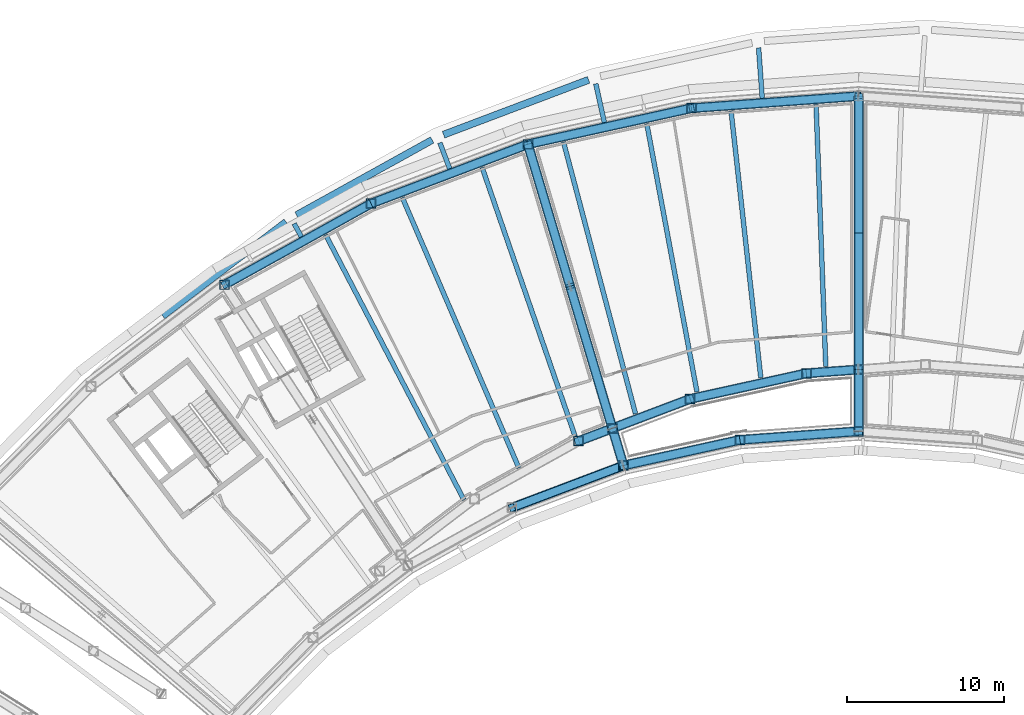
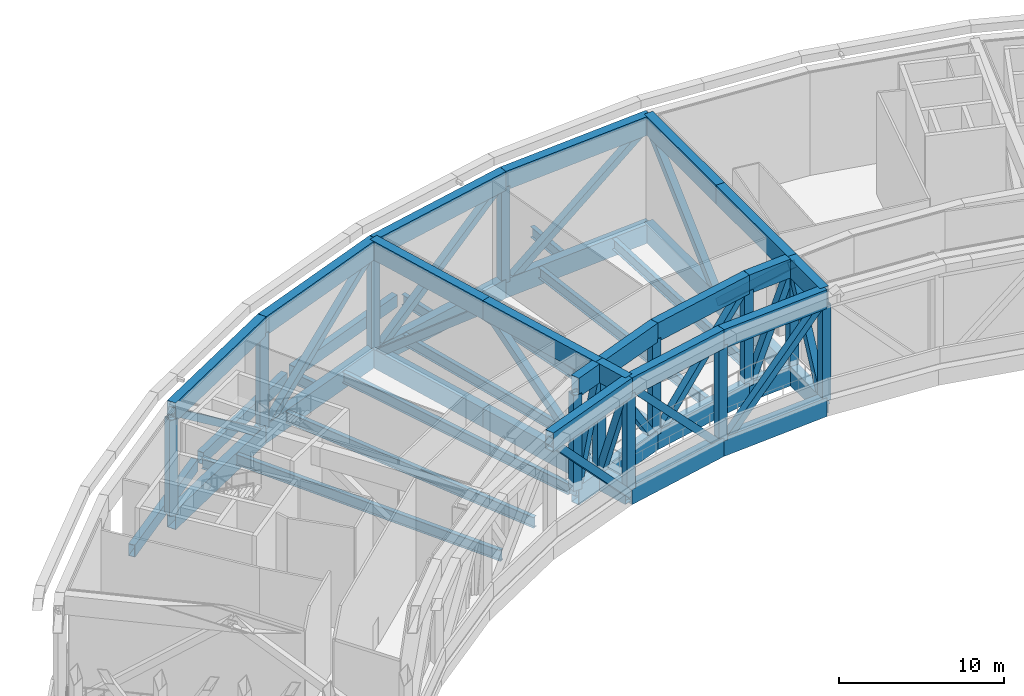
# One storey, part 2 of 24: 47 beams, 29 members.
"""IFC4 building model written with IfcOpenShell, lengths in metres."""

from ifc_helpers import new_model, si_unit, direction, frame, origin, origin_2d, place, context, subcontext, project, spatial, hollow_rectangle, i_section, extrude, material, material_profile, profile_set, type_object, element, save


model = new_model("IFC4")

# Units and contexts
model_context = context("Model", 3, precision=1e-05, world=origin(), true_north=direction((0.0, 1.0)))
body_context = subcontext(model_context, "Body", "Model", "MODEL_VIEW")
ifc_project = project(units=[si_unit("LENGTHUNIT", "METRE"), si_unit("AREAUNIT", "SQUARE_METRE"), si_unit("VOLUMEUNIT", "CUBIC_METRE"), si_unit("PLANEANGLEUNIT", "RADIAN"), si_unit("MASSUNIT", "GRAM", prefix="KILO")], contexts=[model_context])

# Site, building, storey
site_placement = place(None, origin())
site = spatial("IfcSite", under=ifc_project, at=site_placement, CompositionType="ELEMENT")
building_placement = place(site_placement, origin())
building = spatial("IfcBuilding", under=site, at=building_placement, Name="Tuul Gate Civic Tower", CompositionType="ELEMENT")
storey_placement = place(building_placement, frame((0.0, 0.0, 277.800048828125)))
storey = spatial("IfcBuildingStorey", under=building, at=storey_placement, Name="Wind floor 2", CompositionType="ELEMENT", Elevation=277.800048828125)

# Beams
ifc_material_1 = material(Name="Steel S355", Category="steel")
ifc_material_profile_1 = material_profile(ifc_material_1, i_section(OverallWidth=0.300048828125, OverallDepth=0.800048828125, WebThickness=0.013916015625, FlangeThickness=0.02490234375, at=origin_2d()), Name="PG800x300x14x25")
ifc_profile_set_1 = profile_set([ifc_material_profile_1], Name="Steel S355")
beam_type_1 = type_object("IfcBeamType", Name="STR-FLOOR BEAM-PG800x300x14x25", PredefinedType="BEAM", material=ifc_profile_set_1)
beam_1_placement = place(storey_placement, frame((4.689697265625, -7.989990234375, -0.800048828125), z_axis=(-0.036988931261, 0.999315675332, 0.0), x_axis=(-0.999315675332, -0.036988931261, 0.0)))
element("IfcBeam", 1, at=beam_1_placement, inside=storey, type_object=beam_type_1, Name="Floor beam", PredefinedType="BEAM", context=body_context, shape_type="SweptSolid", body=[
    extrude(i_section(OverallWidth=0.300048828125, OverallDepth=0.800048828125, WebThickness=0.013916015625, FlangeThickness=0.02490234375, at=origin_2d()), origin(), (0.0, 0.0, 1.0), 16.685791015625),
])
beam_2_placement = place(storey_placement, frame((0.550537109375, -8.712646484375, -0.800048828125), z_axis=(-0.110787034005, 0.993844169423, 0.0), x_axis=(-0.993844169423, -0.110787034005, 0.0)))
element("IfcBeam", 2, at=beam_2_placement, inside=storey, type_object=beam_type_1, Name="Floor beam", PredefinedType="BEAM", context=body_context, shape_type="SweptSolid", body=[
    extrude(i_section(OverallWidth=0.300048828125, OverallDepth=0.800048828125, WebThickness=0.013916015625, FlangeThickness=0.02490234375, at=origin_2d()), origin(), (0.0, 0.0, 1.0), 17.109375),
])
beam_3_placement = place(storey_placement, frame((-3.516845703125, -9.609130859375, -0.800048828125), z_axis=(-0.183976388686, 0.982930663071, 0.0), x_axis=(-0.982930663071, -0.183976388686, 0.0)))
element("IfcBeam", 3, at=beam_3_placement, inside=storey, type_object=beam_type_1, Name="Floor beam", PredefinedType="BEAM", context=body_context, shape_type="SweptSolid", body=[
    extrude(i_section(OverallWidth=0.300048828125, OverallDepth=0.800048828125, WebThickness=0.013916015625, FlangeThickness=0.02490234375, at=origin_2d()), origin(), (0.0, 0.0, 1.0), 17.378662109375),
])
beam_4_placement = place(storey_placement, frame((-7.431884765625, -11.004638671875, -0.800048828125), z_axis=(-0.256156008974, 0.966635453036, 0.0), x_axis=(-0.966635453036, -0.256156008974, 0.0)))
element("IfcBeam", 4, at=beam_4_placement, inside=storey, type_object=beam_type_1, Name="Floor beam", PredefinedType="BEAM", context=body_context, shape_type="SweptSolid", body=[
    extrude(i_section(OverallWidth=0.300048828125, OverallDepth=0.800048828125, WebThickness=0.013916015625, FlangeThickness=0.02490234375, at=origin_2d()), origin(), (0.0, 0.0, 1.0), 17.90576171875),
])
beam_5_placement = place(storey_placement, frame((-11.26953125, -12.46728515625, -0.800048828125), z_axis=(-0.326933612377, 0.945047307334, 0.0), x_axis=(-0.945047307334, -0.326933612377, 0.0)))
element("IfcBeam", 5, at=beam_5_placement, inside=storey, type_object=beam_type_1, Name="Floor beam", PredefinedType="BEAM", context=body_context, shape_type="SweptSolid", body=[
    extrude(i_section(OverallWidth=0.300048828125, OverallDepth=0.800048828125, WebThickness=0.013916015625, FlangeThickness=0.02490234375, at=origin_2d()), origin(), (0.0, 0.0, 1.0), 18.14990234375),
])
beam_6_placement = place(storey_placement, frame((-14.859375, -14.457275390625, -0.800048828125), z_axis=(-0.395909034734, 0.918289734352, 0.0), x_axis=(-0.918289734352, -0.395909034734, 0.0)))
element("IfcBeam", 6, at=beam_6_placement, inside=storey, type_object=beam_type_1, Name="Floor beam", PredefinedType="BEAM", context=body_context, shape_type="SweptSolid", body=[
    extrude(i_section(OverallWidth=0.300048828125, OverallDepth=0.800048828125, WebThickness=0.013916015625, FlangeThickness=0.02490234375, at=origin_2d()), origin(), (0.0, 0.0, 1.0), 18.75390625),
])
beam_7_placement = place(storey_placement, frame((-18.357177734375, -16.493408203125, -0.800048828125), z_axis=(-0.462725096942, 0.886501824398, 0.0), x_axis=(-0.886501824398, -0.462725096942, 0.0)))
element("IfcBeam", 7, at=beam_7_placement, inside=storey, type_object=beam_type_1, Name="Floor beam", PredefinedType="BEAM", context=body_context, shape_type="SweptSolid", body=[
    extrude(i_section(OverallWidth=0.300048828125, OverallDepth=0.800048828125, WebThickness=0.013916015625, FlangeThickness=0.02490234375, at=origin_2d()), origin(), (0.0, 0.0, 1.0), 19.036865234375),
])
beam_8_placement = place(storey_placement, frame((0.409912109375, 12.303955078125, -0.800048828125), z_axis=(0.072296088756, -0.997383213991, 0.0), x_axis=(0.997383213991, 0.072296088756, 0.0)))
element("IfcBeam", 8, at=beam_8_placement, inside=storey, type_object=beam_type_1, Name="Terrace beam", PredefinedType="BEAM", context=body_context, shape_type="SweptSolid", body=[
    extrude(i_section(OverallWidth=0.300048828125, OverallDepth=0.800048828125, WebThickness=0.013916015625, FlangeThickness=0.02490234375, at=origin_2d()), origin(), (0.0, 0.0, 1.0), 3.22509765625),
])
beam_9_placement = place(storey_placement, frame((-9.9599609375, 10.014404296875, -0.800048828125), z_axis=(0.215244590024, -0.976560170427, 0.0), x_axis=(0.976560170427, 0.215244590024, 0.0)))
element("IfcBeam", 9, at=beam_9_placement, inside=storey, type_object=beam_type_1, Name="Terrace beam", PredefinedType="BEAM", context=body_context, shape_type="SweptSolid", body=[
    extrude(i_section(OverallWidth=0.300048828125, OverallDepth=0.800048828125, WebThickness=0.013916015625, FlangeThickness=0.02490234375, at=origin_2d()), origin(), (0.0, 0.0, 1.0), 2.530517578125),
])
beam_10_placement = place(storey_placement, frame((-19.8916015625, 6.25390625, -0.800048828125), z_axis=(0.353754986459, -0.93533812579, 0.0), x_axis=(0.93533812579, 0.353754986459, 0.0)))
element("IfcBeam", 10, at=beam_10_placement, inside=storey, type_object=beam_type_1, Name="Terrace beam", PredefinedType="BEAM", context=body_context, shape_type="SweptSolid", body=[
    extrude(i_section(OverallWidth=0.300048828125, OverallDepth=0.800048828125, WebThickness=0.013916015625, FlangeThickness=0.02490234375, at=origin_2d()), origin(), (0.0, 0.0, 1.0), 1.76806640625),
])
beam_11_placement = place(storey_placement, frame((-29.177001953125, 1.10205078125, -0.800048828125), z_axis=(0.484795125201, -0.874627741717, 0.0), x_axis=(0.874627741717, 0.484795125201, 0.0)))
element("IfcBeam", 11, at=beam_11_placement, inside=storey, type_object=beam_type_1, Name="Terrace beam", PredefinedType="BEAM", context=body_context, shape_type="SweptSolid", body=[
    extrude(i_section(OverallWidth=0.300048828125, OverallDepth=0.800048828125, WebThickness=0.013916015625, FlangeThickness=0.02490234375, at=origin_2d()), origin(), (0.0, 0.0, 1.0), 0.953857421875),
])
ifc_material_2 = material(Name="Steel S355", Category="steel")
ifc_material_profile_2 = material_profile(ifc_material_2, hollow_rectangle(XDim=0.449951171875, YDim=0.89990234375, WallThickness=0.02490234375, at=origin_2d()), Name="BOX900x450x25")
ifc_profile_set_2 = profile_set([ifc_material_profile_2], Name="Steel S355")
beam_type_2 = type_object("IfcBeamType", Name="STR-SPANDREL BEAM-BOX900x450x25", PredefinedType="BEAM", material=ifc_profile_set_2)
beam_12_placement = place(storey_placement, frame((-10.420166015625, 10.263427734375, -0.85009765625), z_axis=(-0.935348375613, -0.353727884451, 0.0), x_axis=(0.353727884451, -0.935348375613, 0.0)))
element("IfcBeam", 12, at=beam_12_placement, inside=storey, type_object=beam_type_2, Name="Terrace edge beam", PredefinedType="BEAM", context=body_context, shape_type="SweptSolid", body=[
    extrude(hollow_rectangle(XDim=0.449951171875, YDim=0.89990234375, WallThickness=0.02490234375, at=origin_2d()), origin(), (0.0, 0.0, 1.0), 9.87744140625),
])
beam_13_placement = place(storey_placement, frame((-20.3828125, 6.43408203125, -0.85009765625), z_axis=(-0.874631416408, -0.484788495565, 0.0), x_axis=(0.484788495565, -0.874631416408, 0.0)))
element("IfcBeam", 13, at=beam_13_placement, inside=storey, type_object=beam_type_2, Name="Terrace edge beam", PredefinedType="BEAM", context=body_context, shape_type="SweptSolid", body=[
    extrude(hollow_rectangle(XDim=0.449951171875, YDim=0.89990234375, WallThickness=0.02490234375, at=origin_2d()), origin(), (0.0, 0.0, 1.0), 9.876708984375),
])
beam_14_placement = place(storey_placement, frame((-29.689208984375, 1.209716796875, -0.85009765625), z_axis=(-0.795622302229, -0.605792994509, 0.0), x_axis=(0.605792994509, -0.795622302229, 0.0)))
element("IfcBeam", 14, at=beam_14_placement, inside=storey, type_object=beam_type_2, Name="Terrace edge beam", PredefinedType="BEAM", context=body_context, shape_type="SweptSolid", body=[
    extrude(hollow_rectangle(XDim=0.449951171875, YDim=0.89990234375, WallThickness=0.02490234375, at=origin_2d()), origin(), (0.0, 0.0, 1.0), 9.878662109375),
])
ifc_material_3 = material(Name="Steel S460", Category="steel")
ifc_material_profile_3 = material_profile(ifc_material_3, hollow_rectangle(XDim=0.60009765625, YDim=1.39990234375, WallThickness=0.031982421875, at=origin_2d()), Name="BOX1400x600x32")
ifc_profile_set_3 = profile_set([ifc_material_profile_3], Name="Steel S460")
beam_type_3 = type_object("IfcBeamType", Name="STR-TRANSFER TRUSS CHORD-BOX1400x600x32", PredefinedType="BEAM", material=ifc_profile_set_3)
for number, where, z_axis, x_axis, name in (
    (15, (6.7880859375, 9.23193359375, -1.10009765625), (0.0, -1.0, 0.0), (1.0, 0.0, 0.0), "Radial truss bottom chord"),
    (16, (6.7880859375, 0.521484375, -1.10009765625), (0.0, -1.0, 0.0), (1.0, 0.0, 0.0), "Radial truss bottom chord"),
):
    element("IfcBeam", number, at=place(storey_placement, frame(where, z_axis=z_axis, x_axis=x_axis)), inside=storey, type_object=beam_type_3, Name=name, PredefinedType="BEAM", context=body_context, shape_type="SweptSolid", body=[
        extrude(hollow_rectangle(XDim=0.60009765625, YDim=1.39990234375, WallThickness=0.031982421875, at=origin_2d()), origin(), (0.0, 0.0, 1.0), 8.71044921875),
    ])
beam_15_placement = place(storey_placement, frame((6.7880859375, -8.18896484375, -1.10009765625), z_axis=(0.0, -1.0, 0.0), x_axis=(1.0, 0.0, 0.0)))
element("IfcBeam", 17, at=beam_15_placement, inside=storey, type_object=beam_type_3, Name="Radial truss bottom chord", PredefinedType="BEAM", context=body_context, shape_type="SweptSolid", body=[
    extrude(hollow_rectangle(XDim=0.60009765625, YDim=1.39990234375, WallThickness=0.031982421875, at=origin_2d()), origin(), (0.0, 0.0, 1.0), 3.93505859375),
])
for number, where, z_axis, x_axis, name in (
    (18, (6.7880859375, 9.23193359375, 6.89990234375), (0.0, -1.0, 0.0), (1.0, 0.0, 0.0), "Radial truss top chord"),
    (19, (6.7880859375, 0.521484375, 6.89990234375), (0.0, -1.0, 0.0), (1.0, 0.0, 0.0), "Radial truss top chord"),
):
    element("IfcBeam", number, at=place(storey_placement, frame(where, z_axis=z_axis, x_axis=x_axis)), inside=storey, type_object=beam_type_3, Name=name, PredefinedType="BEAM", context=body_context, shape_type="SweptSolid", body=[
        extrude(hollow_rectangle(XDim=0.60009765625, YDim=1.39990234375, WallThickness=0.031982421875, at=origin_2d()), origin(), (0.0, 0.0, 1.0), 8.71044921875),
    ])
beam_16_placement = place(storey_placement, frame((6.7880859375, -8.18896484375, 6.89990234375), z_axis=(0.0, -1.0, 0.0), x_axis=(1.0, 0.0, 0.0)))
element("IfcBeam", 20, at=beam_16_placement, inside=storey, type_object=beam_type_3, Name="Radial truss top chord", PredefinedType="BEAM", context=body_context, shape_type="SweptSolid", body=[
    extrude(hollow_rectangle(XDim=0.60009765625, YDim=1.39990234375, WallThickness=0.031982421875, at=origin_2d()), origin(), (0.0, 0.0, 1.0), 3.93505859375),
])
for number, where, z_axis, x_axis, name in (
    (21, (-14.2880859375, 6.162109375, -1.10009765625), (0.285166769274, -0.958477915083, 0.0), (0.958477915083, 0.285166769274, 0.0), "Radial truss bottom chord"),
    (22, (-11.595947265625, -2.886474609375, -1.10009765625), (0.285190526786, -0.958470846417, 0.0), (0.958470846417, 0.285190526786, 0.0), "Radial truss bottom chord"),
):
    element("IfcBeam", number, at=place(storey_placement, frame(where, z_axis=z_axis, x_axis=x_axis)), inside=storey, type_object=beam_type_3, Name=name, PredefinedType="BEAM", context=body_context, shape_type="SweptSolid", body=[
        extrude(hollow_rectangle(XDim=0.60009765625, YDim=1.39990234375, WallThickness=0.031982421875, at=origin_2d()), origin(), (0.0, 0.0, 1.0), 9.440673828125),
    ])
beam_17_placement = place(storey_placement, frame((-8.903564453125, -11.93505859375, -1.10009765625), z_axis=(0.28512951184, -0.958488999143, 0.0), x_axis=(0.958488999143, 0.28512951184, 0.0)))
element("IfcBeam", 23, at=beam_17_placement, inside=storey, type_object=beam_type_3, Name="Radial truss bottom chord", PredefinedType="BEAM", context=body_context, shape_type="SweptSolid", body=[
    extrude(hollow_rectangle(XDim=0.60009765625, YDim=1.39990234375, WallThickness=0.031982421875, at=origin_2d()), origin(), (0.0, 0.0, 1.0), 2.474609375),
])
for number, where, z_axis, x_axis, name in (
    (24, (-14.2880859375, 6.162109375, 6.89990234375), (0.285166769274, -0.958477915083, 0.0), (0.958477915083, 0.285166769274, 0.0), "Radial truss top chord"),
    (25, (-11.595947265625, -2.886474609375, 6.89990234375), (0.285190526786, -0.958470846417, 0.0), (0.958470846417, 0.285190526786, 0.0), "Radial truss top chord"),
):
    element("IfcBeam", number, at=place(storey_placement, frame(where, z_axis=z_axis, x_axis=x_axis)), inside=storey, type_object=beam_type_3, Name=name, PredefinedType="BEAM", context=body_context, shape_type="SweptSolid", body=[
        extrude(hollow_rectangle(XDim=0.60009765625, YDim=1.39990234375, WallThickness=0.031982421875, at=origin_2d()), origin(), (0.0, 0.0, 1.0), 9.440673828125),
    ])
beam_18_placement = place(storey_placement, frame((-8.903564453125, -11.93505859375, 6.89990234375), z_axis=(0.28512951184, -0.958488999143, 0.0), x_axis=(0.958488999143, 0.28512951184, 0.0)))
element("IfcBeam", 26, at=beam_18_placement, inside=storey, type_object=beam_type_3, Name="Radial truss top chord", PredefinedType="BEAM", context=body_context, shape_type="SweptSolid", body=[
    extrude(hollow_rectangle(XDim=0.60009765625, YDim=1.39990234375, WallThickness=0.031982421875, at=origin_2d()), origin(), (0.0, 0.0, 1.0), 2.474609375),
])
for number, where, z_axis, x_axis, name in (
    (27, (-14.2880859375, 6.162109375, -1.10009765625), (-0.93535026026, -0.353722900916, 0.0), (0.353722900916, -0.93535026026, 0.0), "Belt truss bottom chord"),
    (28, (-14.2880859375, 6.162109375, 6.89990234375), (-0.93535026026, -0.353722900916, 0.0), (0.353722900916, -0.93535026026, 0.0), "Belt truss top chord"),
):
    element("IfcBeam", number, at=place(storey_placement, frame(where, z_axis=z_axis, x_axis=x_axis)), inside=storey, type_object=beam_type_3, Name=name, PredefinedType="BEAM", context=body_context, shape_type="SweptSolid", body=[
        extrude(hollow_rectangle(XDim=0.60009765625, YDim=1.39990234375, WallThickness=0.031982421875, at=origin_2d()), origin(), (0.0, 0.0, 1.0), 10.67822265625),
    ])
for number, where, z_axis, x_axis, name in (
    (29, (-3.861083984375, 8.4599609375, -1.10009765625), (-0.976567537007, -0.215211165288, 0.0), (0.215211165288, -0.976567537007, 0.0), "Belt truss bottom chord"),
    (30, (-3.861083984375, 8.4599609375, 6.89990234375), (-0.976567537007, -0.215211165288, 0.0), (0.215211165288, -0.976567537007, 0.0), "Belt truss top chord"),
):
    element("IfcBeam", number, at=place(storey_placement, frame(where, z_axis=z_axis, x_axis=x_axis)), inside=storey, type_object=beam_type_3, Name=name, PredefinedType="BEAM", context=body_context, shape_type="SweptSolid", body=[
        extrude(hollow_rectangle(XDim=0.60009765625, YDim=1.39990234375, WallThickness=0.031982421875, at=origin_2d()), origin(), (0.0, 0.0, 1.0), 10.67724609375),
    ])
for number, where, z_axis, x_axis, name in (
    (31, (6.7880859375, 9.23193359375, -1.10009765625), (-0.997382812887, -0.072301622099, 0.0), (0.072301622099, -0.997382812887, 0.0), "Belt truss bottom chord"),
    (32, (6.7880859375, 9.23193359375, 6.89990234375), (-0.997382812887, -0.072301622099, 0.0), (0.072301622099, -0.997382812887, 0.0), "Belt truss top chord"),
):
    element("IfcBeam", number, at=place(storey_placement, frame(where, z_axis=z_axis, x_axis=x_axis)), inside=storey, type_object=beam_type_3, Name=name, PredefinedType="BEAM", context=body_context, shape_type="SweptSolid", body=[
        extrude(hollow_rectangle(XDim=0.60009765625, YDim=1.39990234375, WallThickness=0.031982421875, at=origin_2d()), origin(), (0.0, 0.0, 1.0), 10.677001953125),
    ])
for number, where, z_axis, x_axis, name in (
    (33, (-24.27587890625, 2.385009765625, -1.10009765625), (-0.874627142999, -0.484796205358, 0.0), (0.484796205358, -0.874627142999, 0.0), "Belt truss bottom chord"),
    (34, (-24.27587890625, 2.385009765625, 6.89990234375), (-0.874627142999, -0.484796205358, 0.0), (0.484796205358, -0.874627142999, 0.0), "Belt truss top chord"),
):
    element("IfcBeam", number, at=place(storey_placement, frame(where, z_axis=z_axis, x_axis=x_axis)), inside=storey, type_object=beam_type_3, Name=name, PredefinedType="BEAM", context=body_context, shape_type="SweptSolid", body=[
        extrude(hollow_rectangle(XDim=0.60009765625, YDim=1.39990234375, WallThickness=0.031982421875, at=origin_2d()), origin(), (0.0, 0.0, 1.0), 10.6767578125),
    ])
for number, where, z_axis, x_axis, name in (
    (35, (-8.197998046875, -14.306884765625, -1.10009765625), (0.97656990875, 0.215200402705, 0.0), (-0.215200402705, 0.97656990875, 0.0), "Belt truss bottom chord"),
    (36, (-8.197998046875, -14.306884765625, 6.89990234375), (0.97656990875, 0.215200402705, 0.0), (-0.215200402705, 0.97656990875, 0.0), "Belt truss top chord"),
    (37, (-3.955078125, -10.06396484375, -1.10009765625), (0.976563150076, 0.215231070978, 0.0), (-0.215231070978, 0.976563150076, 0.0), "Belt truss bottom chord"),
    (38, (-3.955078125, -10.06396484375, 6.89990234375), (0.976563150076, 0.215231070978, 0.0), (-0.215231070978, 0.976563150076, 0.0), "Belt truss top chord"),
):
    element("IfcBeam", number, at=place(storey_placement, frame(where, z_axis=z_axis, x_axis=x_axis)), inside=storey, type_object=beam_type_3, Name=name, PredefinedType="BEAM", context=body_context, shape_type="SweptSolid", body=[
        extrude(hollow_rectangle(XDim=0.60009765625, YDim=1.39990234375, WallThickness=0.031982421875, at=origin_2d()), origin(), (0.0, 0.0, 1.0), 7.592041015625),
    ])
for number, where, z_axis, x_axis, name in (
    (39, (-0.783935546875, -12.673095703125, -1.10009765625), (0.997381233603, 0.072323404623, 0.0), (-0.072323404623, 0.997381233603, 0.0), "Belt truss bottom chord"),
    (40, (-0.783935546875, -12.673095703125, 6.89990234375), (0.997381233603, 0.072323404623, 0.0), (-0.072323404623, 0.997381233603, 0.0), "Belt truss top chord"),
):
    element("IfcBeam", number, at=place(storey_placement, frame(where, z_axis=z_axis, x_axis=x_axis)), inside=storey, type_object=beam_type_3, Name=name, PredefinedType="BEAM", context=body_context, shape_type="SweptSolid", body=[
        extrude(hollow_rectangle(XDim=0.60009765625, YDim=1.39990234375, WallThickness=0.031982421875, at=origin_2d()), origin(), (0.0, 0.0, 1.0), 7.591796875),
    ])
for number, where, z_axis, x_axis, name in (
    (41, (3.458984375, -8.429931640625, -1.10009765625), (0.997390923218, 0.072189654957, 0.0), (-0.072189654957, 0.997390923218, 0.0), "Belt truss bottom chord"),
    (42, (3.458984375, -8.429931640625, 6.89990234375), (0.997390923218, 0.072189654957, 0.0), (-0.072189654957, 0.997390923218, 0.0), "Belt truss top chord"),
):
    element("IfcBeam", number, at=place(storey_placement, frame(where, z_axis=z_axis, x_axis=x_axis)), inside=storey, type_object=beam_type_3, Name=name, PredefinedType="BEAM", context=body_context, shape_type="SweptSolid", body=[
        extrude(hollow_rectangle(XDim=0.60009765625, YDim=1.39990234375, WallThickness=0.031982421875, at=origin_2d()), origin(), (0.0, 0.0, 1.0), 3.036865234375),
    ])
beam_19_placement = place(storey_placement, frame((-11.055908203125, -12.7490234375, -1.10009765625), z_axis=(0.935347390591, 0.353730489095, 0.0), x_axis=(-0.353730489095, 0.935347390591, 0.0)))
element("IfcBeam", 43, at=beam_19_placement, inside=storey, type_object=beam_type_3, Name="Belt truss bottom chord", PredefinedType="BEAM", context=body_context, shape_type="SweptSolid", body=[
    extrude(hollow_rectangle(XDim=0.60009765625, YDim=1.39990234375, WallThickness=0.031982421875, at=origin_2d()), origin(), (0.0, 0.0, 1.0), 2.000244140625),
])
beam_20_placement = place(storey_placement, frame((-8.622314453125, -11.828857421875, -1.10009765625), z_axis=(0.93535845773, 0.353701223567, 0.0), x_axis=(-0.353701223567, 0.93535845773, 0.0)))
element("IfcBeam", 44, at=beam_20_placement, inside=storey, type_object=beam_type_3, Name="Belt truss bottom chord", PredefinedType="BEAM", context=body_context, shape_type="SweptSolid", body=[
    extrude(hollow_rectangle(XDim=0.60009765625, YDim=1.39990234375, WallThickness=0.031982421875, at=origin_2d()), origin(), (0.0, 0.0, 1.0), 4.98974609375),
])
beam_21_placement = place(storey_placement, frame((-11.055908203125, -12.7490234375, 6.89990234375), z_axis=(0.935347390591, 0.353730489095, 0.0), x_axis=(-0.353730489095, 0.935347390591, 0.0)))
element("IfcBeam", 45, at=beam_21_placement, inside=storey, type_object=beam_type_3, Name="Belt truss top chord", PredefinedType="BEAM", context=body_context, shape_type="SweptSolid", body=[
    extrude(hollow_rectangle(XDim=0.60009765625, YDim=1.39990234375, WallThickness=0.031982421875, at=origin_2d()), origin(), (0.0, 0.0, 1.0), 2.000244140625),
])
beam_22_placement = place(storey_placement, frame((-8.622314453125, -11.828857421875, 6.89990234375), z_axis=(0.93535845773, 0.353701223567, 0.0), x_axis=(-0.353701223567, 0.93535845773, 0.0)))
element("IfcBeam", 46, at=beam_22_placement, inside=storey, type_object=beam_type_3, Name="Belt truss top chord", PredefinedType="BEAM", context=body_context, shape_type="SweptSolid", body=[
    extrude(hollow_rectangle(XDim=0.60009765625, YDim=1.39990234375, WallThickness=0.031982421875, at=origin_2d()), origin(), (0.0, 0.0, 1.0), 4.98974609375),
])
beam_23_placement = place(storey_placement, frame((-15.298095703125, -16.991943359375, 6.89990234375), z_axis=(0.935350115118, 0.353723284714, 0.0), x_axis=(-0.353723284714, 0.935350115118, 0.0)))
element("IfcBeam", 47, at=beam_23_placement, inside=storey, type_object=beam_type_3, Name="Belt truss top chord", PredefinedType="BEAM", context=body_context, shape_type="SweptSolid", body=[
    extrude(hollow_rectangle(XDim=0.60009765625, YDim=1.39990234375, WallThickness=0.031982421875, at=origin_2d()), origin(), (0.0, 0.0, 1.0), 7.5908203125),
])

# Members
ifc_material_4 = material(Name="Steel S355", Category="steel")
ifc_material_profile_4 = material_profile(ifc_material_4, hollow_rectangle(XDim=0.5, YDim=0.5, WallThickness=0.02001953125, at=origin_2d()), Name="BOX500x500x20")
ifc_profile_set_4 = profile_set([ifc_material_profile_4], Name="Steel S355")
member_type_1 = type_object("IfcMemberType", Name="STR-TRANSFER TRUSS DIAGONAL-BOX500x500x20", PredefinedType="BRACE", material=ifc_profile_set_4)
member_1_placement = place(storey_placement, frame((6.7880859375, 0.517822265625, -1.103515625), z_axis=(0.0, 0.736499690218, 0.676437880598), x_axis=(-1.0, 0.0, 0.0)))
element("IfcMember", 48, at=member_1_placement, inside=storey, type_object=member_type_1, Name="Radial truss web", PredefinedType="BRACE", context=body_context, shape_type="SweptSolid", body=[
    extrude(hollow_rectangle(XDim=0.5, YDim=0.5, WallThickness=0.02001953125, at=origin_2d()), origin(), (0.0, 0.0, 1.0), 11.836669921875),
])
member_2_placement = place(storey_placement, frame((6.7880859375, 0.525146484375, -1.103515625), z_axis=(0.0, -0.736509127632, 0.67642760508), x_axis=(1.0, 0.0, 0.0)))
element("IfcMember", 49, at=member_2_placement, inside=storey, type_object=member_type_1, Name="Radial truss web", PredefinedType="BRACE", context=body_context, shape_type="SweptSolid", body=[
    extrude(hollow_rectangle(XDim=0.5, YDim=0.5, WallThickness=0.02001953125, at=origin_2d()), origin(), (0.0, 0.0, 1.0), 11.8369140625),
])
member_3_placement = place(storey_placement, frame((6.7880859375, -12.126220703125, -1.1044921875), z_axis=(0.0, 0.44137237235, 0.897324037863), x_axis=(-1.0, 0.0, 0.0)))
element("IfcMember", 50, at=member_3_placement, inside=storey, type_object=member_type_1, Name="Radial truss web", PredefinedType="BRACE", context=body_context, shape_type="SweptSolid", body=[
    extrude(hollow_rectangle(XDim=0.5, YDim=0.5, WallThickness=0.02001953125, at=origin_2d()), origin(), (0.0, 0.0, 1.0), 8.925537109375),
])
for number, where, z_axis, x_axis, name in (
    (51, (-14.2890625, 6.165771484375, -1.103271484375), (0.217560874355, -0.731241891305, 0.646492507575), (0.958477389709, 0.28516853511, 0.0), "Radial truss web"),
    (52, (-8.902587890625, -11.938720703125, -1.103271484375), (-0.217560874355, 0.731241891305, 0.646492507575), (-0.958477389709, -0.28516853511, 0.0), "Radial truss web"),
):
    element("IfcMember", number, at=place(storey_placement, frame(where, z_axis=z_axis, x_axis=x_axis)), inside=storey, type_object=member_type_1, Name=name, PredefinedType="BRACE", context=body_context, shape_type="SweptSolid", body=[
        extrude(hollow_rectangle(XDim=0.5, YDim=0.5, WallThickness=0.02001953125, at=origin_2d()), origin(), (0.0, 0.0, 1.0), 12.38427734375),
    ])
member_4_placement = place(storey_placement, frame((-8.904052734375, -11.933837890625, -1.104736328125), z_axis=(0.084273684581, -0.283222479694, 0.955344426416), x_axis=(0.958469397157, 0.285195397427, 0.0)))
element("IfcMember", 53, at=member_4_placement, inside=storey, type_object=member_type_1, Name="Radial truss web", PredefinedType="BRACE", context=body_context, shape_type="SweptSolid", body=[
    extrude(hollow_rectangle(XDim=0.5, YDim=0.5, WallThickness=0.02001953125, at=origin_2d()), origin(), (0.0, 0.0, 1.0), 8.3837890625),
])
member_5_placement = place(storey_placement, frame((-24.27978515625, 2.383544921875, -1.10302734375), z_axis=(0.748587099616, 0.283074238588, 0.599571788643), x_axis=(-0.353700884808, 0.93535858583, 0.0)))
element("IfcMember", 54, at=member_5_placement, inside=storey, type_object=member_type_1, Name="Belt truss web", PredefinedType="BRACE", context=body_context, shape_type="SweptSolid", body=[
    extrude(hollow_rectangle(XDim=0.5, YDim=0.5, WallThickness=0.02001953125, at=origin_2d()), origin(), (0.0, 0.0, 1.0), 13.3525390625),
])
member_6_placement = place(storey_placement, frame((-14.2919921875, 6.1611328125, -1.10302734375), z_axis=(0.781533762371, 0.172247912813, 0.599612904136), x_axis=(-0.215231822232, 0.976562984502, 0.0)))
element("IfcMember", 55, at=member_6_placement, inside=storey, type_object=member_type_1, Name="Belt truss web", PredefinedType="BRACE", context=body_context, shape_type="SweptSolid", body=[
    extrude(hollow_rectangle(XDim=0.5, YDim=0.5, WallThickness=0.02001953125, at=origin_2d()), origin(), (0.0, 0.0, 1.0), 13.351806640625),
])
member_7_placement = place(storey_placement, frame((-3.864990234375, 8.459716796875, -1.10302734375), z_axis=(0.798187938849, 0.057855871309, 0.599623809093), x_axis=(-0.072294354922, 0.997383339668, 0.0)))
element("IfcMember", 56, at=member_7_placement, inside=storey, type_object=member_type_1, Name="Belt truss web", PredefinedType="BRACE", context=body_context, shape_type="SweptSolid", body=[
    extrude(hollow_rectangle(XDim=0.5, YDim=0.5, WallThickness=0.02001953125, at=origin_2d()), origin(), (0.0, 0.0, 1.0), 13.3515625),
])
member_8_placement = place(storey_placement, frame((-24.2724609375, 2.386962890625, -1.10302734375), z_axis=(-0.699936044139, -0.387975626316, 0.599636929733), x_axis=(0.48480459388, -0.874622493281, 0.0)))
element("IfcMember", 57, at=member_8_placement, inside=storey, type_object=member_type_1, Name="Belt truss web", PredefinedType="BRACE", context=body_context, shape_type="SweptSolid", body=[
    extrude(hollow_rectangle(XDim=0.5, YDim=0.5, WallThickness=0.02001953125, at=origin_2d()), origin(), (0.0, 0.0, 1.0), 13.35107421875),
])
member_9_placement = place(storey_placement, frame((-0.780517578125, -12.67236328125, -1.103759765625), z_axis=(-0.672237356155, -0.148154956207, 0.725359942333), x_axis=(0.21522582848, -0.976564305489, 0.0)))
element("IfcMember", 58, at=member_9_placement, inside=storey, type_object=member_type_1, Name="Belt truss web", PredefinedType="BRACE", context=body_context, shape_type="SweptSolid", body=[
    extrude(hollow_rectangle(XDim=0.5, YDim=0.5, WallThickness=0.02001953125, at=origin_2d()), origin(), (0.0, 0.0, 1.0), 11.0390625),
])
member_10_placement = place(storey_placement, frame((-3.958251953125, -10.064697265625, -1.103759765625), z_axis=(0.672225234183, 0.148157158868, 0.725370726459), x_axis=(-0.215232581421, 0.976562817178, 0.0)))
element("IfcMember", 59, at=member_10_placement, inside=storey, type_object=member_type_1, Name="Belt truss web", PredefinedType="BRACE", context=body_context, shape_type="SweptSolid", body=[
    extrude(hollow_rectangle(XDim=0.5, YDim=0.5, WallThickness=0.02001953125, at=origin_2d()), origin(), (0.0, 0.0, 1.0), 11.038818359375),
])
member_11_placement = place(storey_placement, frame((-0.787353515625, -12.67333984375, -1.103759765625), z_axis=(0.686556229459, 0.04978378612, 0.72537033192), x_axis=(-0.072322433891, 0.997381303994, 0.0)))
element("IfcMember", 60, at=member_11_placement, inside=storey, type_object=member_type_1, Name="Belt truss web", PredefinedType="BRACE", context=body_context, shape_type="SweptSolid", body=[
    extrude(hollow_rectangle(XDim=0.5, YDim=0.5, WallThickness=0.02001953125, at=origin_2d()), origin(), (0.0, 0.0, 1.0), 11.0390625),
])
member_12_placement = place(storey_placement, frame((3.45703125, -8.43017578125, -1.104736328125), z_axis=(0.384055266544, 0.027794213547, 0.922891669663), x_axis=(-0.072181571211, 0.997391508274, 0.0)))
element("IfcMember", 61, at=member_12_placement, inside=storey, type_object=member_type_1, Name="Belt truss web", PredefinedType="BRACE", context=body_context, shape_type="SweptSolid", body=[
    extrude(hollow_rectangle(XDim=0.5, YDim=0.5, WallThickness=0.02001953125, at=origin_2d()), origin(), (0.0, 0.0, 1.0), 8.678466796875),
])
member_13_placement = place(storey_placement, frame((-11.057373046875, -12.74951171875, -1.104736328125), z_axis=(0.258573225738, 0.097781514389, 0.961030000768), x_axis=(-0.353711713075, 0.935354491107, 0.0)))
element("IfcMember", 62, at=member_13_placement, inside=storey, type_object=member_type_1, Name="Belt truss web", PredefinedType="BRACE", context=body_context, shape_type="SweptSolid", body=[
    extrude(hollow_rectangle(XDim=0.5, YDim=0.5, WallThickness=0.02001953125, at=origin_2d()), origin(), (0.0, 0.0, 1.0), 8.334228515625),
])
member_14_placement = place(storey_placement, frame((-3.952392578125, -10.06298828125, -1.104248046875), z_axis=(-0.515965543715, -0.195085882972, 0.834098948545), x_axis=(0.353663217291, -0.935372828735, 0.0)))
element("IfcMember", 63, at=member_14_placement, inside=storey, type_object=member_type_1, Name="Belt truss web", PredefinedType="BRACE", context=body_context, shape_type="SweptSolid", body=[
    extrude(hollow_rectangle(XDim=0.5, YDim=0.5, WallThickness=0.02001953125, at=origin_2d()), origin(), (0.0, 0.0, 1.0), 9.60107421875),
])
member_15_placement = place(storey_placement, frame((-8.19482421875, -14.3056640625, -1.103759765625), z_axis=(-0.643805773239, -0.243473064169, 0.7254205631), x_axis=(0.353727994401, -0.935348334032, 0.0)))
element("IfcMember", 64, at=member_15_placement, inside=storey, type_object=member_type_1, Name="Belt truss web", PredefinedType="BRACE", context=body_context, shape_type="SweptSolid", body=[
    extrude(hollow_rectangle(XDim=0.5, YDim=0.5, WallThickness=0.02001953125, at=origin_2d()), origin(), (0.0, 0.0, 1.0), 11.0380859375),
])
ifc_material_5 = material(Name="Steel S355", Category="steel")
ifc_material_profile_5 = material_profile(ifc_material_5, hollow_rectangle(XDim=0.60009765625, YDim=0.60009765625, WallThickness=0.028076171875, at=origin_2d()), Name="BOX600x600x28")
ifc_profile_set_5 = profile_set([ifc_material_profile_5], Name="Steel S355")
member_type_2 = type_object("IfcMemberType", Name="STR-TRUSS POST-BOX600x600x28", PredefinedType="POST", material=ifc_profile_set_5)
for number, where, z_axis, x_axis, name in (
    (65, (6.7880859375, -8.18896484375, -0.64501953125), (0.0, 0.0, 1.0), (1.0, 0.0, 0.0), "Radial truss post"),
    (66, (6.7880859375, -12.1240234375, -0.64501953125), (0.0, 0.0, 1.0), (1.0, 0.0, 0.0), "Radial truss post"),
    (67, (-14.2880859375, 6.162109375, -0.64501953125), (0.0, 0.0, 1.0), (1.0, 0.0, 0.0), "Radial truss post"),
    (68, (-8.903564453125, -11.93505859375, -0.64501953125), (0.0, 0.0, 1.0), (1.0, 0.0, 0.0), "Radial truss post"),
    (69, (-8.197998046875, -14.306884765625, -0.64501953125), (0.0, 0.0, 1.0), (1.0, 0.0, 0.0), "Radial truss post"),
    (70, (-33.614013671875, -2.791015625, -0.64501953125), (0.0, 0.0, 1.0), (1.0, 0.0, 0.0), "Radial truss post"),
    (71, (-24.27587890625, 2.385009765625, -0.64501953125), (0.0, 0.0, 1.0), (1.0, 0.0, 0.0), "Belt truss post"),
    (72, (-3.861083984375, 8.4599609375, -0.64501953125), (0.0, 0.0, 1.0), (1.0, 0.0, 0.0), "Belt truss post"),
    (73, (-11.055908203125, -12.7490234375, -0.64501953125), (0.0, 0.0, 1.0), (1.0, 0.0, 0.0), "Belt truss post"),
    (74, (-0.783935546875, -12.673095703125, -0.64501953125), (0.0, 0.0, 1.0), (1.0, 0.0, 0.0), "Belt truss post"),
    (75, (-3.955078125, -10.06396484375, -0.64501953125), (0.0, 0.0, 1.0), (1.0, 0.0, 0.0), "Belt truss post"),
    (76, (3.458984375, -8.429931640625, -0.64501953125), (0.0, 0.0, 1.0), (1.0, 0.0, 0.0), "Belt truss post"),
):
    element("IfcMember", number, at=place(storey_placement, frame(where, z_axis=z_axis, x_axis=x_axis)), inside=storey, type_object=member_type_2, Name=name, PredefinedType="POST", context=body_context, shape_type="SweptSolid", body=[
        extrude(hollow_rectangle(XDim=0.60009765625, YDim=0.60009765625, WallThickness=0.028076171875, at=origin_2d()), origin(), (0.0, 0.0, 1.0), 7.090087890625),
    ])

save(model, "model.ifc")
